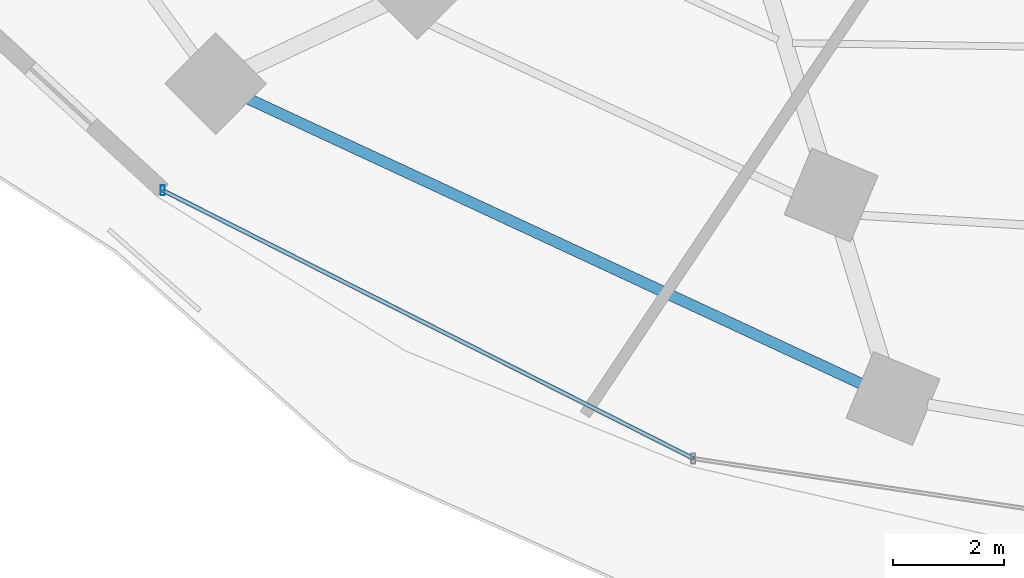
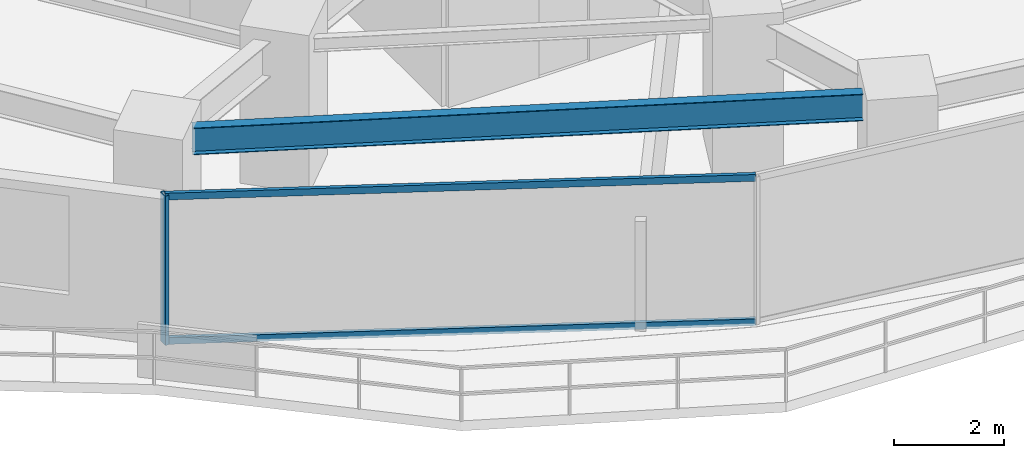
# One storey, part 2 of 30: 3 members, 1 beam, 1 element without a shape of its own.
"""IFC4 building model written with IfcOpenShell, lengths in metres."""

import ifcopenshell
import ifcopenshell.guid

model = None  # the IFC model being written
_history = None  # IfcOwnerHistory: only IFC2X3 demands one
_inside = {}  # id of a spatial element -> (the spatial element, [elements in it])
_under = {}  # id of a project, library or spatial element -> (it, [spatial elements below it])
_declared = {}  # id of a project -> (the project, [libraries it declares])
_typed = {}  # id of a type object -> (the type object, [elements of that type])
_made_of = {}  # id of a material, layer set ... -> (it, [elements and type objects made of it])


def new_model(schema):
    """Start an empty IFC model of exactly this schema.

    Asked for "IFC4X3", IfcOpenShell would pick the latest addendum, in which some entities
    have other attributes; the version numbers below select the first issue.
    IFC2X3 requires an IfcOwnerHistory on every rooted entity: one is made here for all.
    """
    global model, _history
    if schema == "IFC4X3":
        model = ifcopenshell.file(schema_version=(4, 3, 0, 0))
    else:
        model = ifcopenshell.file(schema=schema)
    _inside.clear()
    _under.clear()
    _declared.clear()
    _typed.clear()
    _made_of.clear()
    _history = None
    if model.schema == "IFC2X3":
        org = make("IfcOrganization", Name="unknown")
        user = make(
            "IfcPersonAndOrganization",
            ThePerson=make("IfcPerson", FamilyName="unknown"),
            TheOrganization=org,
        )
        app = make(
            "IfcApplication",
            ApplicationDeveloper=org,
            Version="unknown",
            ApplicationFullName="unknown",
            ApplicationIdentifier="unknown",
        )
        _history = make(
            "IfcOwnerHistory",
            OwningUser=user,
            OwningApplication=app,
            ChangeAction="ADDED",
            CreationDate=0,
        )
    return model


def make(cls, **values):
    """One entity of the class cls with the attributes given. An attribute that is None is left unset."""
    return model.create_entity(
        cls, **{name: value for name, value in values.items() if value is not None}
    )


def rooted(cls, **values):
    """An entity with a GlobalId (a new one), such as an element, a storey or a relation."""
    return make(cls, GlobalId=ifcopenshell.guid.new(), OwnerHistory=_history, **values)


def si_unit(unit_type, name, prefix=None):
    """IfcSIUnit, for example si_unit("LENGTHUNIT", "METRE", prefix="MILLI")."""
    return make("IfcSIUnit", UnitType=unit_type, Prefix=prefix, Name=name)


def assignment(units):
    """IfcUnitAssignment: the units of a project."""
    return None if units is None else make("IfcUnitAssignment", Units=units)


def point(xyz):
    """IfcCartesianPoint."""
    return None if xyz is None else make("IfcCartesianPoint", Coordinates=xyz)


def direction(xyz):
    """IfcDirection."""
    return None if xyz is None else make("IfcDirection", DirectionRatios=xyz)


def frame(location, z_axis=None, x_axis=None):
    """IfcAxis2Placement3D, a coordinate frame: its origin and axes. An axis left out is left unset."""
    return make(
        "IfcAxis2Placement3D",
        Location=point(location),
        Axis=direction(z_axis),
        RefDirection=direction(x_axis),
    )


def frame_2d(location, x_axis=None):
    """IfcAxis2Placement2D, a coordinate frame in the plane: its origin and x axis."""
    return make(
        "IfcAxis2Placement2D", Location=point(location), RefDirection=direction(x_axis)
    )


def origin():
    """The frame at (0, 0, 0) with its axes left unset."""
    return frame((0.0, 0.0, 0.0))


def origin_2d():
    """The frame at (0, 0) in the plane with its x axis left unset."""
    return frame_2d((0.0, 0.0))


def place(relative_to, where):
    """IfcLocalPlacement: puts the frame where relative to a parent placement (None: the world)."""
    return make(
        "IfcLocalPlacement", PlacementRelTo=relative_to, RelativePlacement=where
    )


def context(
    kind, dimensions, precision=None, world=None, true_north=None, identifier=None
):
    """IfcGeometricRepresentationContext, for example the 3D "Model" context."""
    return make(
        "IfcGeometricRepresentationContext",
        ContextIdentifier=identifier,
        ContextType=kind,
        CoordinateSpaceDimension=dimensions,
        Precision=precision,
        WorldCoordinateSystem=world,
        TrueNorth=true_north,
    )


def subcontext(parent, identifier, kind, view, scale=None):
    """IfcGeometricRepresentationSubContext, for example "Body" below "Model"."""
    return make(
        "IfcGeometricRepresentationSubContext",
        ContextIdentifier=identifier,
        ContextType=kind,
        ParentContext=parent,
        TargetScale=scale,
        TargetView=view,
    )


def project(units=None, contexts=None):
    """IfcProject with its units and contexts."""
    return rooted(
        "IfcProject",
        Name="project",
        RepresentationContexts=contexts,
        UnitsInContext=assignment(units),
    )


def spatial(cls, under=None, at=None, **own):
    """A site, building, storey or space (cls), placed at a placement, below another one or the project."""
    s = rooted(cls, ObjectPlacement=at, **own)
    if under is not None:
        _under.setdefault(under.id(), (under, []))[1].append(s)
    return s


def profile(cls, at=None, kind="AREA", **sizes):
    """A parametric profile (cls). Its sizes go by their IFC names, for example OverallWidth=200.0."""
    return make(cls, ProfileType=kind, Position=at, **sizes)


def hollow_rectangle(**sizes):
    """IfcRectangleHollowProfileDef."""
    return profile("IfcRectangleHollowProfileDef", **sizes)


def i_section(**sizes):
    """IfcIShapeProfileDef."""
    return profile("IfcIShapeProfileDef", **sizes)


def extrude(swept, where, along, depth):
    """IfcExtrudedAreaSolid: the profile swept, set in the frame where, extruded along a direction by depth."""
    return make(
        "IfcExtrudedAreaSolid",
        SweptArea=swept,
        Position=where,
        ExtrudedDirection=direction(along),
        Depth=depth,
    )


def shape(context_of_items, identifier, shape_type, items):
    """IfcShapeRepresentation: the items that make up one representation, for example the "Body"."""
    return make(
        "IfcShapeRepresentation",
        ContextOfItems=context_of_items,
        RepresentationIdentifier=identifier,
        RepresentationType=shape_type,
        Items=items,
    )


def material(Name=None, Category=None):
    """IfcMaterial."""
    return make("IfcMaterial", Name=Name, Category=Category)


def material_profile(
    of_material, cross_section, Name=None, Category=None, Priority=None
):
    """IfcMaterialProfile: a cross section and its material."""
    return make(
        "IfcMaterialProfile",
        Name=Name,
        Material=of_material,
        Profile=cross_section,
        Priority=Priority,
        Category=Category,
    )


def profile_set(profiles, Name=None, composite=None):
    """IfcMaterialProfileSet."""
    return make(
        "IfcMaterialProfileSet",
        Name=Name,
        MaterialProfiles=profiles,
        CompositeProfile=composite,
    )


def made_of(thing, what):
    """Note that an element or type object is made of a material, layer set ...; save() writes the relation."""
    if what is not None:
        _made_of.setdefault(what.id(), (what, []))[1].append(thing)
    return thing


def type_object(cls, material=None, **own):
    """A type object (cls), such as IfcWallType, which elements share."""
    return made_of(rooted(cls, **own), material)


def element(
    cls,
    number,
    at=None,
    inside=None,
    cuts=None,
    type_object=None,
    material=None,
    context=None,
    identifier="Body",
    shape_type=None,
    held_by="IfcProductDefinitionShape",
    body=None,
    shapes=None,
    **own,
):
    """One element of the class cls, such as IfcWall. Its Tag is "e" and its number.

    at: its placement. inside: the storey or other place that contains it. cuts: it is an
    opening in that element (IfcRelVoidsElement). A single representation is given by context,
    identifier, shape_type and body (its items); several are given by shapes. held_by: the class
    of the entity that holds the representations. save() writes the other relations.
    """
    e = rooted(cls, Tag="e%d" % number, ObjectPlacement=at, **own)
    if body is not None:
        shapes = [shape(context, identifier, shape_type, body)]
    if shapes is not None:
        e.Representation = make(held_by, Representations=shapes)
    if inside is not None:
        _inside.setdefault(inside.id(), (inside, []))[1].append(e)
    if cuts is not None:
        rooted(
            "IfcRelVoidsElement", RelatingBuildingElement=cuts, RelatedOpeningElement=e
        )
    if type_object is not None:
        _typed.setdefault(type_object.id(), (type_object, []))[1].append(e)
    return made_of(e, material)


def aggregate(whole, parts):
    """IfcRelAggregates: a whole, such as a stair, and the parts it consists of."""
    return rooted("IfcRelAggregates", RelatingObject=whole, RelatedObjects=parts)


def save(model, path):
    """Write the relations noted so far, then the file.

    IfcRelAggregates (storeys below a building ...), IfcRelContainedInSpatialStructure (elements
    in a storey), IfcRelDefinesByType, IfcRelAssociatesMaterial and IfcRelDeclares: one each for
    every whole, place, type object, material and project.
    """
    for whole, parts in _under.values():
        aggregate(whole, parts)
    for where, things in _inside.values():
        rooted(
            "IfcRelContainedInSpatialStructure",
            RelatedElements=things,
            RelatingStructure=where,
        )
    for kind, things in _typed.values():
        rooted("IfcRelDefinesByType", RelatedObjects=things, RelatingType=kind)
    for what, things in _made_of.values():
        rooted("IfcRelAssociatesMaterial", RelatedObjects=things, RelatingMaterial=what)
    for by, libraries in _declared.values():
        rooted("IfcRelDeclares", RelatingContext=by, RelatedDefinitions=libraries)
    model.write(path)


model = new_model("IFC4")

# Units and contexts
model_context = context("Model", 3, precision=1e-05, world=origin(), true_north=direction((0.0, 1.0)))
body_context = subcontext(model_context, "Body", "Model", "MODEL_VIEW")
ifc_project = project(units=[si_unit("LENGTHUNIT", "METRE"), si_unit("AREAUNIT", "SQUARE_METRE"), si_unit("VOLUMEUNIT", "CUBIC_METRE"), si_unit("PLANEANGLEUNIT", "RADIAN"), si_unit("MASSUNIT", "GRAM", prefix="KILO")], contexts=[model_context])

# Site, building, storey
site_placement = place(None, origin())
site = spatial("IfcSite", under=ifc_project, at=site_placement, CompositionType="ELEMENT")
building_placement = place(site_placement, origin())
building = spatial("IfcBuilding", under=site, at=building_placement, Name="Vorneva Point Tower", CompositionType="ELEMENT")
storey_placement = place(building_placement, frame((0.0, 0.0, 41.5)))
storey = spatial("IfcBuildingStorey", under=building, at=storey_placement, Name="L10", CompositionType="ELEMENT", Elevation=41.5)

# Beam
ifc_material_1 = material(Name="Steel S355", Category="steel")
ifc_material_profile_1 = material_profile(ifc_material_1, i_section(OverallWidth=0.198974609375, OverallDepth=0.595947265625, WebThickness=0.010009765625, FlangeThickness=0.014892578125, at=origin_2d()), Name="60B1")
ifc_profile_set_1 = profile_set([ifc_material_profile_1], Name="Steel S355")
beam_type = type_object("IfcBeamType", Name="BM-SPN-60B1", PredefinedType="SPANDREL", material=ifc_profile_set_1)
beam_placement = place(storey_placement, frame((18.63720703125, 11.8564453125, 2.94189453125), z_axis=(0.906776698196, -0.421611218551, 0.0), x_axis=(0.421611218551, 0.906776698196, 0.0)))
element("IfcBeam", 1, at=beam_placement, inside=storey, type_object=beam_type, Name="L10 Perimeter Spandrel Ring Beam 11", PredefinedType="SPANDREL", context=body_context, shape_type="SweptSolid", body=[
    extrude(i_section(OverallWidth=0.198974609375, OverallDepth=0.595947265625, WebThickness=0.010009765625, FlangeThickness=0.014892578125, at=origin_2d()), origin(), (0.0, 0.0, 1.0), 12.223388671875),
])

# Curtain wall, members
ifc_material_2 = material(Name="Pale anodised aluminium", Category="aluminium")
curtain_wall_type = type_object("IfcCurtainWallType", Name="CW-HTL-SYS", PredefinedType="NOTDEFINED", material=ifc_material_2)
curtain_wall_placement = place(storey_placement, origin())
curtain_wall = element("IfcCurtainWall", 2, at=curtain_wall_placement, inside=storey, type_object=curtain_wall_type, Name="L10 Unitised Curtain Wall CW-L10-R04", PredefinedType="NOTDEFINED")
ifc_material_profile_2 = material_profile(ifc_material_2, hollow_rectangle(XDim=0.074951171875, YDim=0.179931640625, WallThickness=0.00390625, at=origin_2d()), Name="AL-MUL 180x75x4")
ifc_profile_set_2 = profile_set([ifc_material_profile_2], Name="Pale anodised aluminium")
member_type_1 = type_object("IfcMemberType", Name="CW-MUL-180", PredefinedType="MULLION", material=ifc_profile_set_2)
member_1_placement = place(storey_placement, frame((17.10498046875, 10.1962890625, -0.0400390625), z_axis=(0.0, 0.0, 1.0), x_axis=(1.0, 0.0, 0.0)))
member_1 = element("IfcMember", 3, at=member_1_placement, type_object=member_type_1, Name="CW-L10-R04 Mullion 01", PredefinedType="MULLION", context=body_context, shape_type="SweptSolid", body=[
    extrude(hollow_rectangle(XDim=0.074951171875, YDim=0.179931640625, WallThickness=0.00390625, at=origin_2d()), origin(), (0.0, 0.0, 1.0), 3.31005859375),
])
ifc_material_profile_3 = material_profile(ifc_material_2, hollow_rectangle(XDim=0.074951171875, YDim=0.14990234375, WallThickness=0.00390625, at=origin_2d()), Name="AL-TRN 150x75x4")
ifc_profile_set_3 = profile_set([ifc_material_profile_3], Name="Pale anodised aluminium")
member_type_2 = type_object("IfcMemberType", Name="CW-TRN-150", PredefinedType="USERDEFINED", material=ifc_profile_set_3)
member_2_placement = place(storey_placement, frame((17.10498046875, 10.1962890625, 0.02001953125), z_axis=(0.892496057621, -0.451055192999, 0.0), x_axis=(0.451055192999, 0.892496057621, 0.0)))
member_2 = element("IfcMember", 4, at=member_2_placement, type_object=member_type_2, Name="CW-L10-R04 Transom 01.1", ObjectType="TRANSOM", PredefinedType="USERDEFINED", context=body_context, shape_type="SweptSolid", body=[
    extrude(hollow_rectangle(XDim=0.074951171875, YDim=0.14990234375, WallThickness=0.00390625, at=origin_2d()), origin(), (0.0, 0.0, 1.0), 10.741455078125),
])
member_3_placement = place(storey_placement, frame((17.10498046875, 10.1962890625, 3.219970703125), z_axis=(0.892496057621, -0.451055192999, 0.0), x_axis=(0.451055192999, 0.892496057621, 0.0)))
member_3 = element("IfcMember", 5, at=member_3_placement, type_object=member_type_2, Name="CW-L10-R04 Transom 01.2", ObjectType="TRANSOM", PredefinedType="USERDEFINED", context=body_context, shape_type="SweptSolid", body=[
    extrude(hollow_rectangle(XDim=0.074951171875, YDim=0.14990234375, WallThickness=0.00390625, at=origin_2d()), origin(), (0.0, 0.0, 1.0), 10.741455078125),
])
aggregate(curtain_wall, [member_1, member_2, member_3])

save(model, "model.ifc")
